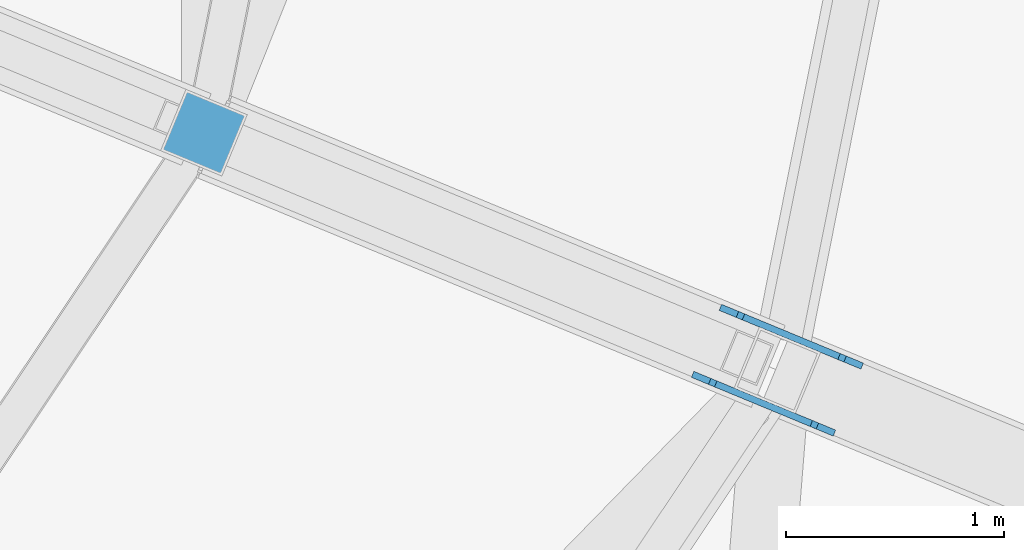
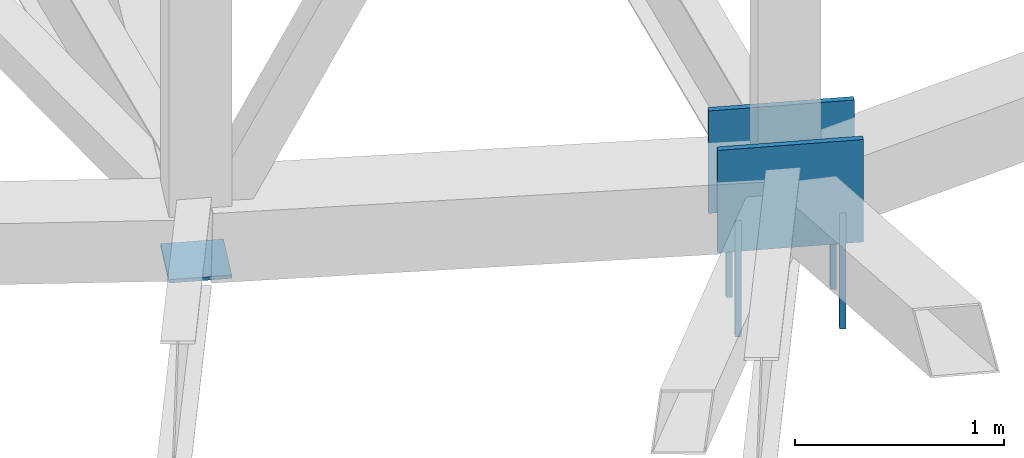
# One storey, part 181 of 278: 4 mechanical fasteners, 3 discrete accessories.
"""IFC4 building model written with IfcOpenShell, lengths in metres."""

from ifc_helpers import new_model, si_unit, direction, frame, origin, origin_2d, place, context, subcontext, project, spatial, rectangle, extrude, material, layer, layer_set, type_object, element, save


model = new_model("IFC4")

# Units and contexts
model_context = context("Model", 3, precision=1e-05, world=origin(), true_north=direction((0.0, 1.0)))
body_context = subcontext(model_context, "Body", "Model", "MODEL_VIEW")
ifc_project = project(units=[si_unit("LENGTHUNIT", "METRE"), si_unit("AREAUNIT", "SQUARE_METRE"), si_unit("VOLUMEUNIT", "CUBIC_METRE"), si_unit("PLANEANGLEUNIT", "RADIAN"), si_unit("MASSUNIT", "GRAM", prefix="KILO")], contexts=[model_context])

# Site, building, storey
site_placement = place(None, origin())
site = spatial("IfcSite", under=ifc_project, at=site_placement, CompositionType="ELEMENT")
building_placement = place(site_placement, origin())
building = spatial("IfcBuilding", under=site, at=building_placement, Name="Ogive Plaza Stadium", CompositionType="ELEMENT")
storey_placement = place(building_placement, frame((0.0, 0.0, 29.0)))
storey = spatial("IfcBuildingStorey", under=building, at=storey_placement, Name="Roof", CompositionType="ELEMENT", Elevation=29.0)

# Mechanical fasteners
ifc_material_1 = material(Name="Steel ASTM A992 Grade 50", Category="steel")
mechanical_fastener_type = type_object("IfcMechanicalFastenerType", Name="Anchor bolt M30 x 600", PredefinedType="ANCHORBOLT", material=ifc_material_1)
for number, where, z_axis, x_axis, name in (
    (1, (71.251953125, -67.750244140625, -0.5), (0.0, 0.0, 1.0), (0.923879532511, -0.382683432365, 0.0), "ANCHOR BOLT 09 BP 1.1"),
    (2, (70.78564453125, -67.556884765625, -0.5), (0.0, 0.0, 1.0), (0.923879532511, -0.382683432365, 0.0), "ANCHOR BOLT 09 BP 1.2"),
    (3, (71.124755859375, -68.0576171875, -0.5), (0.0, 0.0, 1.0), (0.923879532511, -0.382683432365, 0.0), "ANCHOR BOLT 09 BP 2.1"),
    (4, (70.658203125, -67.864501953125, -0.5), (0.0, 0.0, 1.0), (0.923879532511, -0.382683432365, 0.0), "ANCHOR BOLT 09 BP 2.2"),
):
    element("IfcMechanicalFastener", number, at=place(storey_placement, frame(where, z_axis=z_axis, x_axis=x_axis)), inside=storey, type_object=mechanical_fastener_type, Name=name, PredefinedType="ANCHORBOLT", context=body_context, shape_type="SweptSolid", body=[
        extrude(rectangle(XDim=0.030029296875, YDim=0.030029296875, at=origin_2d()), origin(), (0.0, 0.0, 1.0), 0.679931640625),
    ])

# Discrete accessories
ifc_material_2 = material(Name="Steel ASTM A992 Grade 50", Category="steel")
ifc_layer_1 = layer(ifc_material_2, 0.02001953125)
ifc_layer_set_1 = layer_set([ifc_layer_1], Name="Steel ASTM A992 Grade 50")
discrete_accessory_type_1 = type_object("IfcDiscreteAccessoryType", Name="Roof truss post cap plate 20", PredefinedType="ANCHORPLATE", material=ifc_layer_set_1)
discrete_accessory_placement = place(storey_placement, frame((68.322021484375, -66.716796875, 0.04541015625), z_axis=(0.0, 0.0, 1.0), x_axis=(0.923879532511, -0.382683432365, 0.0)))
element("IfcDiscreteAccessory", 5, at=discrete_accessory_placement, inside=storey, type_object=discrete_accessory_type_1, Name="ROOF TRUSS POST CAP PLATE 09 10", PredefinedType="ANCHORPLATE", context=body_context, shape_type="SweptSolid", body=[
    extrude(rectangle(XDim=0.3046875, YDim=0.3046875, at=origin_2d()), origin(), (0.0, 0.0, 1.0), 0.02001953125),
])
ifc_material_3 = material(Name="Steel ASTM A992 Grade 50", Category="steel")
ifc_layer_2 = layer(ifc_material_3, 0.030029296875)
ifc_layer_set_2 = layer_set([ifc_layer_2], Name="Steel ASTM A992 Grade 50")
discrete_accessory_type_2 = type_object("IfcDiscreteAccessoryType", Name="Truss root foot cleat plate 30", PredefinedType="ANCHORPLATE", material=ifc_layer_set_2)
for number, where, z_axis, x_axis, name in (
    (6, (71.018798828125, -67.653564453125, 0.0), (0.0, 0.0, 1.0), (0.923879532511, -0.382683432365, 0.0), "TRUSS ROOT FOOT CLEAT PLATE 09 1"),
    (7, (70.8916015625, -67.961181640625, 0.0), (0.0, 0.0, 1.0), (0.923879532511, -0.382683432365, 0.0), "TRUSS ROOT FOOT CLEAT PLATE 09 2"),
):
    element("IfcDiscreteAccessory", number, at=place(storey_placement, frame(where, z_axis=z_axis, x_axis=x_axis)), inside=storey, type_object=discrete_accessory_type_2, Name=name, PredefinedType="ANCHORPLATE", context=body_context, shape_type="SweptSolid", body=[
        extrude(rectangle(XDim=0.704833984375, YDim=0.030029296875, at=origin_2d()), origin(), (0.0, 0.0, 1.0), 0.60009765625),
    ])

save(model, "model.ifc")
